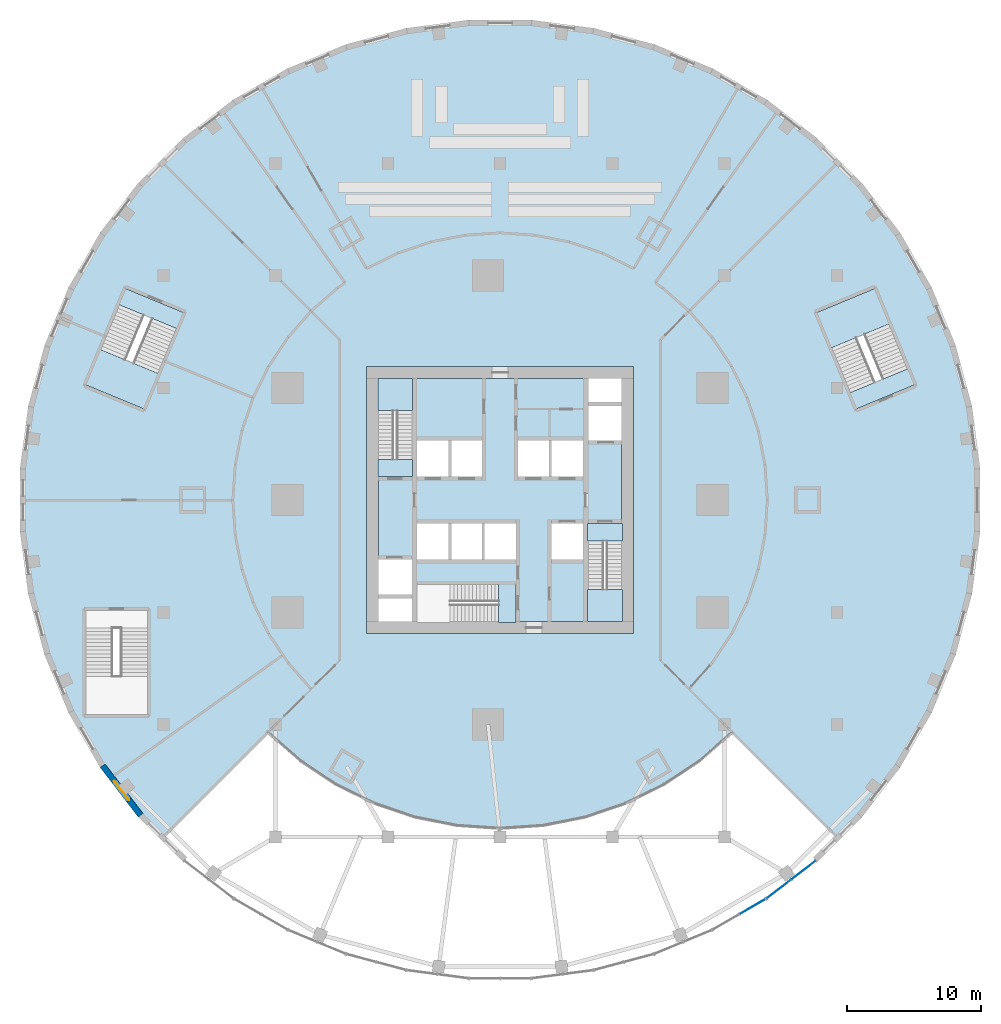
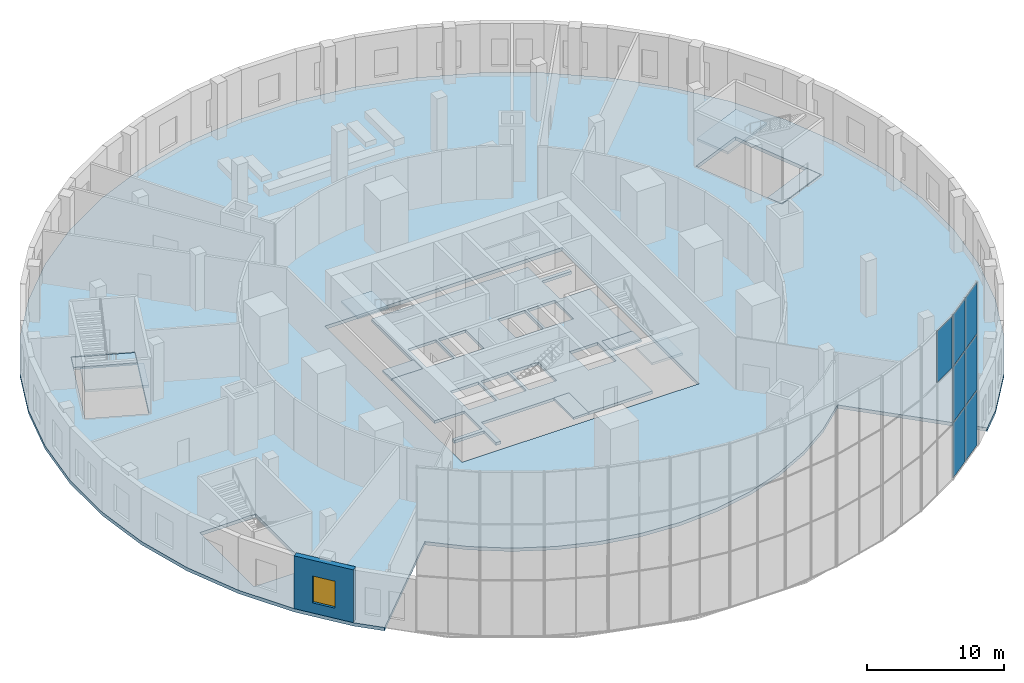
# One storey, part 6 of 17: 11 slabs, 7 plates, 1 wall, 1 window, 1 opening, 6 elements without a shape of their own.
"""IFC4 building model written with IfcOpenShell, lengths in metres."""

from ifc_helpers import new_model, si_unit, direction, frame, frame_2d, origin, origin_2d, place, context, subcontext, project, spatial, polyline, rectangle, outline, extrude, material, layer, layer_set, type_object, element, fill, aggregate, save


model = new_model("IFC4")

# Units and contexts
model_context = context("Model", 3, precision=1e-05, world=origin(), true_north=direction((0.0, 1.0)))
body_context = subcontext(model_context, "Body", "Model", "MODEL_VIEW")
ifc_project = project(units=[si_unit("LENGTHUNIT", "METRE"), si_unit("AREAUNIT", "SQUARE_METRE"), si_unit("VOLUMEUNIT", "CUBIC_METRE"), si_unit("PLANEANGLEUNIT", "RADIAN"), si_unit("MASSUNIT", "GRAM", prefix="KILO")], contexts=[model_context])

# Site, building, storey
site_placement = place(None, origin())
site = spatial("IfcSite", under=ifc_project, at=site_placement, CompositionType="ELEMENT")
building_placement = place(site_placement, origin())
building = spatial("IfcBuilding", under=site, at=building_placement, Name="Golbaran Civic Tower", CompositionType="ELEMENT")
storey_placement = place(building_placement, frame((0.0, 0.0, 6.0)))
storey = spatial("IfcBuildingStorey", under=building, at=storey_placement, Name="L01", CompositionType="ELEMENT", Elevation=6.0)

# Curtain wall, plate
ifc_material_1 = material(Name="Aluminium and glass", Category="aluminium")
curtain_wall_type = type_object("IfcCurtainWallType", Name="ATRIUM CURTAIN WALL", PredefinedType="NOTDEFINED", material=ifc_material_1)
curtain_wall_1_placement = place(storey_placement, origin())
curtain_wall_1 = element("IfcCurtainWall", 1, at=curtain_wall_1_placement, inside=storey, type_object=curtain_wall_type, Name="Atrium curtain wall facet 40 CW4", ObjectType="ATRIUM GLAZING", PredefinedType="USERDEFINED")
ifc_material_2 = material(Name="Clear insulating glass", Category="glass")
ifc_layer_1 = layer(ifc_material_2, 0.031982421875, Name="Clear insulating glass")
ifc_layer_set_1 = layer_set([ifc_layer_1], Name="Clear insulating glass")
plate_type = type_object("IfcPlateType", Name="ATRIUM CURTAIN WALL GLAZED PANEL", PredefinedType="CURTAIN_PANEL", material=ifc_layer_set_1)
plate_1_placement = place(storey_placement, frame((18.891845703125, -30.413818359375, 10.03759765625), z_axis=(0.0, 0.0, 1.0), x_axis=(0.866025403741, 0.500000000076, 0.0)))
plate_1 = element("IfcPlate", 2, at=plate_1_placement, type_object=plate_type, Name="CW4 panel 2.3", PredefinedType="CURTAIN_PANEL", context=body_context, shape_type="SweptSolid", body=[
    extrude(rectangle(XDim=2.23291015625, YDim=0.031982421875, at=origin_2d()), origin(), (0.0, 0.0, 1.0), 4.58740234375),
])
aggregate(curtain_wall_1, [plate_1])

# Curtain wall, plates
curtain_wall_2_placement = place(storey_placement, origin())
curtain_wall_2 = element("IfcCurtainWall", 3, at=curtain_wall_2_placement, inside=storey, type_object=curtain_wall_type, Name="Atrium curtain wall facet 41 CW4", ObjectType="ATRIUM GLAZING", PredefinedType="USERDEFINED")
plate_2_placement = place(storey_placement, frame((20.868896484375, -29.0927734375, 0.0751953125), z_axis=(0.0, 0.0, 1.0), x_axis=(0.793353340355, 0.608761428926, 0.0)))
plate_2 = element("IfcPlate", 4, at=plate_2_placement, type_object=plate_type, Name="CW4 panel 1.1", PredefinedType="CURTAIN_PANEL", context=body_context, shape_type="SweptSolid", body=[
    extrude(rectangle(XDim=2.23291015625, YDim=0.031982421875, at=origin_2d()), origin(), (0.0, 0.0, 1.0), 4.887451171875),
])
plate_3_placement = place(storey_placement, frame((20.868896484375, -29.0927734375, 5.03759765625), z_axis=(0.0, 0.0, 1.0), x_axis=(0.793353340355, 0.608761428926, 0.0)))
plate_3 = element("IfcPlate", 5, at=plate_3_placement, type_object=plate_type, Name="CW4 panel 1.2", PredefinedType="CURTAIN_PANEL", context=body_context, shape_type="SweptSolid", body=[
    extrude(rectangle(XDim=2.23291015625, YDim=0.031982421875, at=origin_2d()), origin(), (0.0, 0.0, 1.0), 4.925048828125),
])
plate_4_placement = place(storey_placement, frame((20.868896484375, -29.0927734375, 10.03759765625), z_axis=(0.0, 0.0, 1.0), x_axis=(0.793353340355, 0.608761428926, 0.0)))
plate_4 = element("IfcPlate", 6, at=plate_4_placement, type_object=plate_type, Name="CW4 panel 1.3", PredefinedType="CURTAIN_PANEL", context=body_context, shape_type="SweptSolid", body=[
    extrude(rectangle(XDim=2.23291015625, YDim=0.031982421875, at=origin_2d()), origin(), (0.0, 0.0, 1.0), 4.58740234375),
])
plate_5_placement = place(storey_placement, frame((22.699951171875, -27.687744140625, 0.0751953125), z_axis=(0.0, 0.0, 1.0), x_axis=(0.793353340355, 0.608761428926, 0.0)))
plate_5 = element("IfcPlate", 7, at=plate_5_placement, type_object=plate_type, Name="CW4 panel 2.1", PredefinedType="CURTAIN_PANEL", context=body_context, shape_type="SweptSolid", body=[
    extrude(rectangle(XDim=2.23291015625, YDim=0.031982421875, at=origin_2d()), origin(), (0.0, 0.0, 1.0), 4.887451171875),
])
plate_6_placement = place(storey_placement, frame((22.699951171875, -27.687744140625, 5.03759765625), z_axis=(0.0, 0.0, 1.0), x_axis=(0.793353340355, 0.608761428926, 0.0)))
plate_6 = element("IfcPlate", 8, at=plate_6_placement, type_object=plate_type, Name="CW4 panel 2.2", PredefinedType="CURTAIN_PANEL", context=body_context, shape_type="SweptSolid", body=[
    extrude(rectangle(XDim=2.23291015625, YDim=0.031982421875, at=origin_2d()), origin(), (0.0, 0.0, 1.0), 4.925048828125),
])
plate_7_placement = place(storey_placement, frame((22.699951171875, -27.687744140625, 10.03759765625), z_axis=(0.0, 0.0, 1.0), x_axis=(0.793353340355, 0.608761428926, 0.0)))
plate_7 = element("IfcPlate", 9, at=plate_7_placement, type_object=plate_type, Name="CW4 panel 2.3", PredefinedType="CURTAIN_PANEL", context=body_context, shape_type="SweptSolid", body=[
    extrude(rectangle(XDim=2.23291015625, YDim=0.031982421875, at=origin_2d()), origin(), (0.0, 0.0, 1.0), 4.58740234375),
])
aggregate(curtain_wall_2, [plate_2, plate_3, plate_4, plate_5, plate_6, plate_7])

# Slabs
ifc_material_3 = material(Name="Concrete C35/45", Category="concrete")
ifc_layer_2 = layer(ifc_material_3, 0.25, Name="Concrete C35/45")
ifc_layer_set_2 = layer_set([ifc_layer_2], Name="Concrete C35/45")
slab_type_1 = type_object("IfcSlabType", Name="CORE FLOOR SLAB 250", PredefinedType="FLOOR", material=ifc_layer_set_2)
slab_1_placement = place(storey_placement, frame((0.0, 0.0, -0.25)))
element("IfcSlab", 10, at=slab_1_placement, inside=storey, type_object=slab_type_1, Name="Core floor slab L01", PredefinedType="FLOOR", context=body_context, shape_type="SweptSolid", body=[
    extrude(outline(polyline([(6.60009765625, -1.75), (6.60009765625, -9.10009765625), (1.199951171875, -9.10009765625), (1.199951171875, -6.300048828125), (-6.199951171875, -6.300048828125), (-6.199951171875, -9.10009765625), (-6.60009765625, -9.10009765625), (-6.60009765625, -7.35009765625), (-9.10009765625, -7.35009765625), (-9.10009765625, -7.050048828125), (-6.60009765625, -7.050048828125), (-6.60009765625, -4.449951171875), (-9.10009765625, -4.449951171875), (-9.10009765625, 1.75), (-6.60009765625, 1.75), (-6.60009765625, 9.10009765625), (6.60009765625, 9.10009765625), (6.60009765625, 7.35009765625), (9.10009765625, 7.35009765625), (9.10009765625, 7.050048828125), (6.60009765625, 7.050048828125), (6.60009765625, 4.449951171875), (9.10009765625, 4.449951171875), (9.10009765625, -1.75), (6.60009765625, -1.75)]), holes=[polyline([(6.199951171875, -1.75), (3.85009765625, -1.75), (3.85009765625, -4.449951171875), (6.199951171875, -4.449951171875), (6.199951171875, -1.75)]), polyline([(6.199951171875, 4.449951171875), (3.85009765625, 4.449951171875), (3.85009765625, 1.75), (6.199951171875, 1.75), (6.199951171875, 4.449951171875)]), polyline([(3.64990234375, 4.449951171875), (1.35009765625, 4.449951171875), (1.35009765625, 1.75), (3.64990234375, 1.75), (3.64990234375, 4.449951171875)]), polyline([(1.199951171875, -1.75), (-1.14990234375, -1.75), (-1.14990234375, -4.449951171875), (1.199951171875, -4.449951171875), (1.199951171875, -1.75)]), polyline([(-1.35009765625, 4.449951171875), (-3.64990234375, 4.449951171875), (-3.64990234375, 1.75), (-1.35009765625, 1.75), (-1.35009765625, 4.449951171875)]), polyline([(-1.35009765625, -1.75), (-3.64990234375, -1.75), (-3.64990234375, -4.449951171875), (-1.35009765625, -4.449951171875), (-1.35009765625, -1.75)]), polyline([(-3.85009765625, -1.75), (-6.199951171875, -1.75), (-6.199951171875, -4.449951171875), (-3.85009765625, -4.449951171875), (-3.85009765625, -1.75)]), polyline([(-3.85009765625, 4.449951171875), (-6.199951171875, 4.449951171875), (-6.199951171875, 1.75), (-3.85009765625, 1.75), (-3.85009765625, 4.449951171875)])]), origin(), (0.0, 0.0, 1.0), 0.25),
])
ifc_layer_3 = layer(ifc_material_3, 0.300048828125, Name="Concrete C35/45")
ifc_layer_set_3 = layer_set([ifc_layer_3], Name="Concrete C35/45")
slab_type_2 = type_object("IfcSlabType", Name="PODIUM FLOOR SLAB 300", PredefinedType="FLOOR", material=ifc_layer_set_3)
slab_2_placement = place(storey_placement, frame((0.0, 0.0, -0.300048828125)))
element("IfcSlab", 11, at=slab_2_placement, inside=storey, type_object=slab_type_2, Name="Podium floor slab L01", PredefinedType="FLOOR", context=body_context, shape_type="SweptSolid", body=[
    extrude(outline(polyline([(32.287353515625, -15.92236328125), (29.932861328125, -20.00048828125), (27.066162109375, -23.736328125), (25.4013671875, -25.4013671875), (17.394775390625, -17.394775390625), (14.9755859375, -19.5166015625), (12.300048828125, -21.30419921875), (9.4140625, -22.7275390625), (6.366943359375, -23.76171875), (3.2109375, -24.3896484375), (0.0, -24.60009765625), (-3.2109375, -24.3896484375), (-6.366943359375, -23.76171875), (-9.4140625, -22.7275390625), (-12.300048828125, -21.30419921875), (-14.9755859375, -19.5166015625), (-17.394775390625, -17.394775390625), (-25.4013671875, -25.4013671875), (-27.066162109375, -23.736328125), (-29.932861328125, -20.00048828125), (-32.287353515625, -15.92236328125), (-34.089599609375, -11.57177734375), (-35.308349609375, -7.023193359375), (-35.9228515625, -2.3544921875), (-35.9228515625, 2.3544921875), (-35.308349609375, 7.023193359375), (-34.089599609375, 11.57177734375), (-32.287353515625, 15.92236328125), (-29.932861328125, 20.00048828125), (-27.066162109375, 23.736328125), (-23.736328125, 27.066162109375), (-20.00048828125, 29.932861328125), (-15.92236328125, 32.287353515625), (-11.57177734375, 34.089599609375), (-7.023193359375, 35.308349609375), (-2.3544921875, 35.9228515625), (2.3544921875, 35.9228515625), (7.023193359375, 35.308349609375), (11.57177734375, 34.089599609375), (15.92236328125, 32.287353515625), (20.00048828125, 29.932861328125), (23.736328125, 27.066162109375), (27.066162109375, 23.736328125), (29.932861328125, 20.00048828125), (32.287353515625, 15.92236328125), (34.089599609375, 11.57177734375), (35.308349609375, 7.023193359375), (35.9228515625, 2.3544921875), (35.9228515625, -2.3544921875), (35.308349609375, -7.023193359375), (34.089599609375, -11.57177734375), (32.287353515625, -15.92236328125)]), holes=[polyline([(31.042724609375, 8.572021484375), (28.01171875, 15.88916015625), (23.651123046875, 14.082763671875), (26.681884765625, 6.765625), (31.042724609375, 8.572021484375)]), polyline([(10.0, -10.0), (10.0, 10.0), (-10.0, 10.0), (-10.0, -10.0), (10.0, -10.0)]), polyline([(-28.01171875, 15.88916015625), (-31.042724609375, 8.572021484375), (-26.681884765625, 6.765625), (-23.651123046875, 14.082763671875), (-28.01171875, 15.88916015625)]), polyline([(-31.06005859375, -16.110107421875), (-26.340087890625, -16.110107421875), (-26.340087890625, -8.18994140625), (-31.06005859375, -8.18994140625), (-31.06005859375, -16.110107421875)])]), origin(), (0.0, 0.0, 1.0), 0.300048828125),
])

# Stair, slab
stair_type_1 = type_object("IfcStairType", Name="EXIT STAIR 2500 x 7350, 5000 RISE", PredefinedType="HALF_TURN_STAIR", material=ifc_material_3)
stair_1_placement = place(storey_placement, origin())
stair_1 = element("IfcStair", 12, at=stair_1_placement, inside=storey, type_object=stair_type_1, Name="Stair S1 L01", PredefinedType="HALF_TURN_STAIR")
ifc_layer_4 = layer(ifc_material_3, 0.199951171875, Name="Concrete C35/45")
ifc_layer_set_4 = layer_set([ifc_layer_4], Name="Concrete C35/45")
slab_type_3 = type_object("IfcSlabType", Name="STAIR LANDING 200", PredefinedType="LANDING", material=ifc_layer_set_4)
slab_3_placement = place(storey_placement, frame((0.0, 0.0, 2.300048828125)))
slab_3 = element("IfcSlab", 13, at=slab_3_placement, type_object=slab_type_3, Name="ST25074-50 landing 1", PredefinedType="LANDING", context=body_context, shape_type="SweptSolid", body=[
    extrude(outline(polyline([(-9.14990234375, 6.68505859375), (-9.14990234375, 9.10009765625), (-6.550048828125, 9.10009765625), (-6.550048828125, 6.68505859375), (-9.14990234375, 6.68505859375)])), origin(), (0.0, 0.0, 1.0), 0.199951171875),
])
aggregate(stair_1, [slab_3])

# Slab
slab_4_placement = place(storey_placement, frame((0.0, 0.0, -0.199951171875)))
element("IfcSlab", 14, at=slab_4_placement, inside=storey, type_object=slab_type_3, Name="Stair S1 floor landing L01", PredefinedType="LANDING", context=body_context, shape_type="SweptSolid", body=[
    extrude(outline(polyline([(-9.14990234375, 1.75), (-9.14990234375, 3.054931640625), (-6.550048828125, 3.054931640625), (-6.550048828125, 1.75), (-9.14990234375, 1.75)])), origin(), (0.0, 0.0, 1.0), 0.199951171875),
])

# Stair, slab
stair_2_placement = place(storey_placement, origin())
stair_2 = element("IfcStair", 15, at=stair_2_placement, inside=storey, type_object=stair_type_1, Name="Stair S2 L01", PredefinedType="HALF_TURN_STAIR")
slab_5_placement = place(storey_placement, frame((0.0, 0.0, 2.300048828125)))
slab_5 = element("IfcSlab", 16, at=slab_5_placement, type_object=slab_type_3, Name="ST25074-50 landing 1", PredefinedType="LANDING", context=body_context, shape_type="SweptSolid", body=[
    extrude(outline(polyline([(9.14990234375, -6.68505859375), (9.14990234375, -9.10009765625), (6.550048828125, -9.10009765625), (6.550048828125, -6.68505859375), (9.14990234375, -6.68505859375)])), origin(), (0.0, 0.0, 1.0), 0.199951171875),
])
aggregate(stair_2, [slab_5])

# Slabs
slab_6_placement = place(storey_placement, frame((0.0, 0.0, -0.199951171875)))
element("IfcSlab", 17, at=slab_6_placement, inside=storey, type_object=slab_type_3, Name="Stair S2 floor landing L01", PredefinedType="LANDING", context=body_context, shape_type="SweptSolid", body=[
    extrude(outline(polyline([(9.14990234375, -1.75), (9.14990234375, -3.054931640625), (6.550048828125, -3.054931640625), (6.550048828125, -1.75), (9.14990234375, -1.75)])), origin(), (0.0, 0.0, 1.0), 0.199951171875),
])
slab_7_placement = place(storey_placement, frame((0.0, 0.0, -0.199951171875)))
element("IfcSlab", 18, at=slab_7_placement, inside=storey, type_object=slab_type_3, Name="Stair S3 floor landing L01", PredefinedType="LANDING", context=body_context, shape_type="SweptSolid", body=[
    extrude(outline(polyline([(1.199951171875, -9.14990234375), (-0.10498046875, -9.14990234375), (-0.10498046875, -6.25), (1.199951171875, -6.25), (1.199951171875, -9.14990234375)])), origin(), (0.0, 0.0, 1.0), 0.199951171875),
])

# Stair, slab
stair_type_2 = type_object("IfcStairType", Name="EXIT STAIR 4600 x 7800, 5000 RISE", PredefinedType="HALF_TURN_STAIR", material=ifc_material_3)
stair_3_placement = place(storey_placement, origin())
stair_3 = element("IfcStair", 19, at=stair_3_placement, inside=storey, type_object=stair_type_2, Name="Stair P1 L01", PredefinedType="HALF_TURN_STAIR")
slab_8_placement = place(storey_placement, frame((0.0, 0.0, 2.300048828125)))
slab_8 = element("IfcSlab", 20, at=slab_8_placement, type_object=slab_type_3, Name="ST46078-50 landing 1", PredefinedType="LANDING", context=body_context, shape_type="SweptSolid", body=[
    extrude(outline(polyline([(24.779541015625, 11.38427734375), (23.683349609375, 14.03125), (28.025390625, 15.829833984375), (29.121826171875, 13.182861328125), (24.779541015625, 11.38427734375)])), origin(), (0.0, 0.0, 1.0), 0.199951171875),
])
aggregate(stair_3, [slab_8])

# Slab
slab_9_placement = place(storey_placement, frame((0.0, 0.0, -0.199951171875)))
element("IfcSlab", 21, at=slab_9_placement, inside=storey, type_object=slab_type_3, Name="Stair P1 floor landing L01", PredefinedType="LANDING", context=body_context, shape_type="SweptSolid", body=[
    extrude(outline(polyline([(26.668212890625, 6.824951171875), (26.168701171875, 8.03076171875), (30.510986328125, 9.829345703125), (31.010498046875, 8.62353515625), (26.668212890625, 6.824951171875)])), origin(), (0.0, 0.0, 1.0), 0.199951171875),
])

# Stair, slab
stair_4_placement = place(storey_placement, origin())
stair_4 = element("IfcStair", 22, at=stair_4_placement, inside=storey, type_object=stair_type_2, Name="Stair P2 L01", PredefinedType="HALF_TURN_STAIR")
slab_10_placement = place(storey_placement, frame((0.0, 0.0, 2.300048828125)))
slab_10 = element("IfcSlab", 23, at=slab_10_placement, type_object=slab_type_3, Name="ST46078-50 landing 1", PredefinedType="LANDING", context=body_context, shape_type="SweptSolid", body=[
    extrude(outline(polyline([(-25.57177734375, 9.471923828125), (-26.668212890625, 6.824951171875), (-31.010498046875, 8.62353515625), (-29.9140625, 11.2705078125), (-25.57177734375, 9.471923828125)])), origin(), (0.0, 0.0, 1.0), 0.199951171875),
])
aggregate(stair_4, [slab_10])

# Slab
slab_11_placement = place(storey_placement, frame((0.0, 0.0, -0.199951171875)))
element("IfcSlab", 24, at=slab_11_placement, inside=storey, type_object=slab_type_3, Name="Stair P2 floor landing L01", PredefinedType="LANDING", context=body_context, shape_type="SweptSolid", body=[
    extrude(outline(polyline([(-23.683349609375, 14.03125), (-24.1826171875, 12.82568359375), (-28.52490234375, 14.624267578125), (-28.025390625, 15.829833984375), (-23.683349609375, 14.03125)])), origin(), (0.0, 0.0, 1.0), 0.199951171875),
])

# Wall, opening, window
ifc_material_4 = material(Name="Terracotta brick", Category="masonry")
ifc_layer_5 = layer(ifc_material_4, 0.449951171875, Name="Terracotta brick")
ifc_layer_set_5 = layer_set([ifc_layer_5], Name="Terracotta brick")
wall_type = type_object("IfcWallType", Name="TERRACOTTA BRICK FACADE WALL 450", PredefinedType="SOLIDWALL", material=ifc_layer_set_5)
wall_placement = place(storey_placement, frame((-29.745849609375, -19.87548828125, 0.0), z_axis=(0.0, 0.0, 1.0), x_axis=(0.608769916927, -0.79334682721, 0.0)))
wall = element("IfcWall", 25, at=wall_placement, inside=storey, type_object=wall_type, Name="Podium wall L01 facet 29", PredefinedType="SOLIDWALL", context=body_context, shape_type="SweptSolid", body=[
    extrude(rectangle(XDim=4.6796875, YDim=0.449951171875, at=frame_2d((2.33984375, 0.0))), origin(), (0.0, 0.0, 1.0), 4.699951171875),
])
opening_placement = place(wall_placement, frame((1.439697265625, 0.0, 0.89990234375)))
opening = element("IfcOpeningElement", 26, at=opening_placement, cuts=wall, Name="Opening L01.W35", PredefinedType="OPENING", context=body_context, shape_type="SweptSolid", body=[
    extrude(rectangle(XDim=1.800048828125, YDim=2.39990234375, at=frame_2d((0.89990234375, 1.199951171875))), frame((0.0, 0.23486328125, 0.0), z_axis=(0.0, -1.0, 0.0), x_axis=(1.0, 0.0, 0.0)), (0.0, 0.0, 1.0), 0.469970703125),
])
ifc_material_5 = material(Name="Aluminium frame, clear glass", Category="aluminium")
window_type = type_object("IfcWindowType", Name="PODIUM WINDOW 1800x2400", PartitioningType="SINGLE_PANEL", PredefinedType="WINDOW", material=ifc_material_5)
window_placement = place(opening_placement, origin())
window = element("IfcWindow", 27, at=window_placement, inside=storey, type_object=window_type, Name="Podium window L01 facet 29", OverallHeight=2.39990234375, OverallWidth=1.800048828125, PartitioningType="SINGLE_PANEL", PredefinedType="WINDOW", context=body_context, shape_type="SweptSolid", body=[
    extrude(rectangle(XDim=1.800048828125, YDim=2.39990234375, at=frame_2d((0.89990234375, 1.199951171875))), frame((0.0, 0.030029296875, 0.0), z_axis=(0.0, -1.0, 0.0), x_axis=(1.0, 0.0, 0.0)), (0.0, 0.0, 1.0), 0.06005859375),
])
fill(opening, window)

save(model, "model.ifc")
